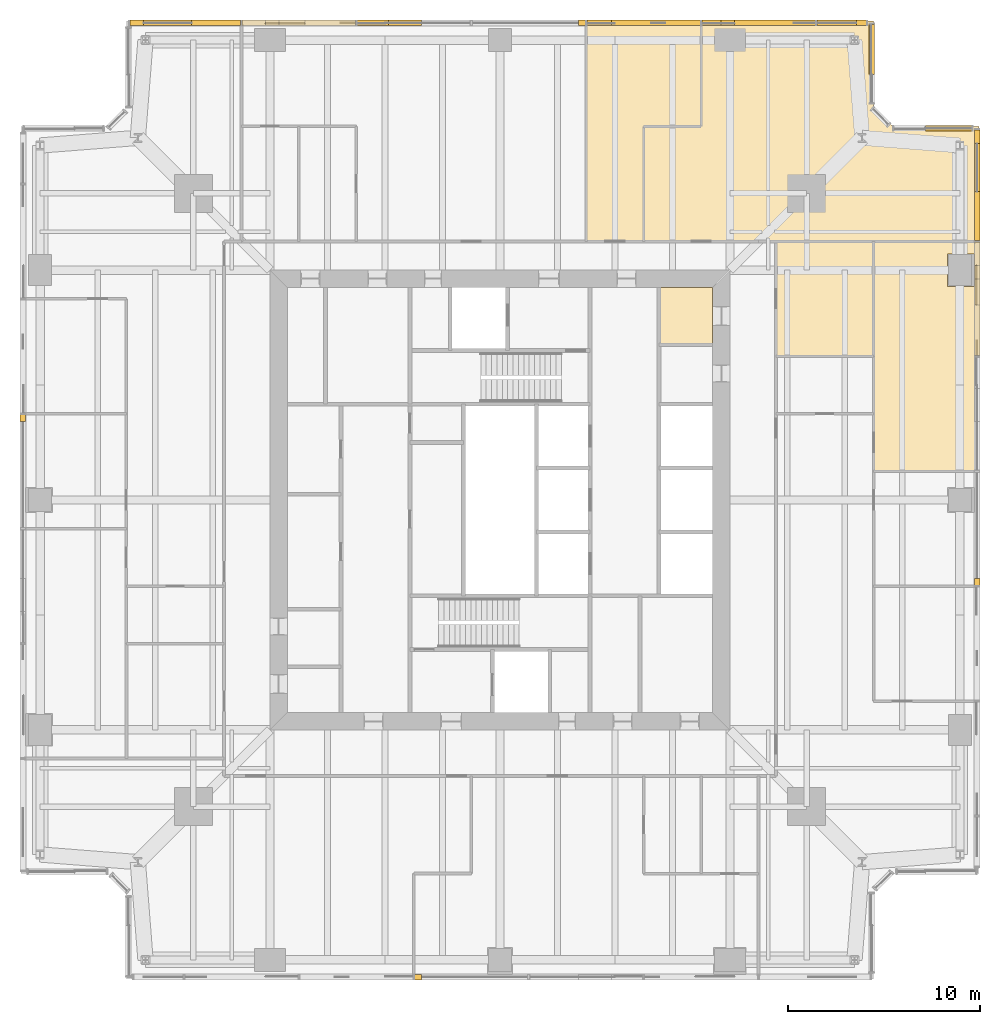
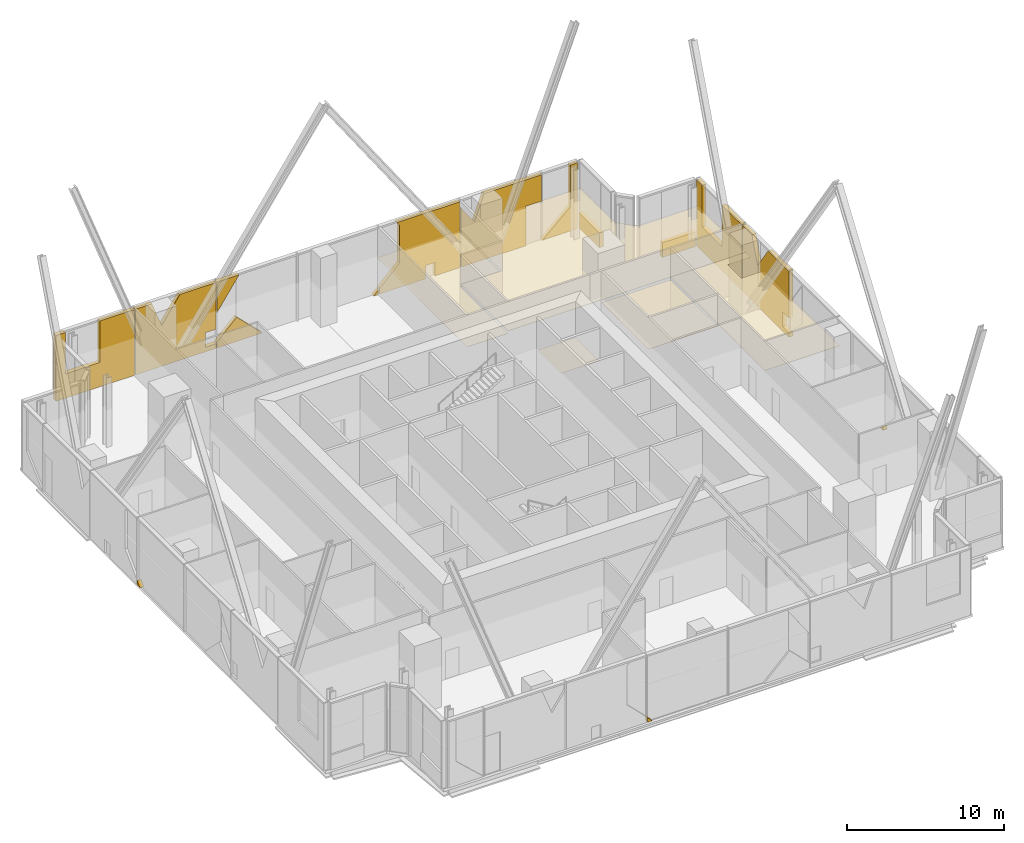
# One storey, part 14 of 14: 20 coverings.
"""IFC4 building model written with IfcOpenShell, lengths in metres."""

from ifc_helpers import new_model, si_unit, direction, frame, origin, place, context, subcontext, project, spatial, polyline, outline, extrude, material, layer, layer_set, type_object, element, save


model = new_model("IFC4")

# Units and contexts
model_context = context("Model", 3, precision=1e-05, world=origin(), true_north=direction((0.0, 1.0)))
body_context = subcontext(model_context, "Body", "Model", "MODEL_VIEW")
ifc_project = project(units=[si_unit("LENGTHUNIT", "METRE"), si_unit("AREAUNIT", "SQUARE_METRE"), si_unit("VOLUMEUNIT", "CUBIC_METRE"), si_unit("PLANEANGLEUNIT", "RADIAN"), si_unit("MASSUNIT", "GRAM", prefix="KILO")], contexts=[model_context])

# Site, building, storey
site_placement = place(None, origin())
site = spatial("IfcSite", under=ifc_project, at=site_placement, CompositionType="ELEMENT")
building_placement = place(site_placement, origin())
building = spatial("IfcBuilding", under=site, at=building_placement, Name="Fenwick Lantern Interchange", CompositionType="ELEMENT")
storey_placement = place(building_placement, frame((0.0, 0.0, 168.39990234375)))
storey = spatial("IfcBuildingStorey", under=building, at=storey_placement, Name="L39", CompositionType="ELEMENT", Elevation=168.39990234375)

# Coverings
ifc_material_1 = material(Name="Mineral fibre acoustic tile on suspended grid")
ifc_layer_1 = layer(ifc_material_1, 0.02001953125)
ifc_layer_set_1 = layer_set([ifc_layer_1], Name="ACOUSTIC TILE CEILING 20")
covering_type_1 = type_object("IfcCoveringType", Name="ACOUSTIC TILE CEILING 20", PredefinedType="CEILING", material=ifc_layer_set_1)
covering_1_placement = place(storey_placement, frame((0.0, 0.0, 2.900146484375)))
element("IfcCovering", 1, at=covering_1_placement, inside=storey, type_object=covering_type_1, Name="Meeting room ceiling", PredefinedType="CEILING", context=body_context, shape_type="SweptSolid", body=[
    extrude(outline(polyline([(44.5, 26.5), (50.0, 26.5), (50.0, 36.14990234375), (48.35009765625, 36.14990234375), (48.35009765625, 37.85009765625), (50.0, 37.85009765625), (50.0, 38.5), (44.5, 38.5), (44.5, 26.5)])), origin(), (0.0, 0.0, 1.0), 0.02001953125),
])
covering_2_placement = place(storey_placement, frame((0.0, 0.0, 2.7001953125)))
element("IfcCovering", 2, at=covering_2_placement, inside=storey, type_object=covering_type_1, Name="Mail room ceiling", PredefinedType="CEILING", context=body_context, shape_type="SweptSolid", body=[
    extrude(outline(polyline([(44.5, 32.5), (44.5, 38.5), (39.39990234375, 38.5), (39.39990234375, 32.5), (44.5, 32.5)])), origin(), (0.0, 0.0, 1.0), 0.02001953125),
])
covering_3_placement = place(storey_placement, frame((0.0, 0.0, 2.900146484375)))
element("IfcCovering", 3, at=covering_3_placement, inside=storey, type_object=covering_type_1, Name="Building management office ceiling", PredefinedType="CEILING", context=body_context, shape_type="SweptSolid", body=[
    extrude(outline(polyline([(44.5, 45.5), (44.5, 50.0), (35.5, 50.0), (35.5, 44.5), (32.5, 44.5), (32.5, 38.5), (50.0, 38.5), (50.0, 44.5), (45.5, 44.5), (44.5, 45.5)])), origin(), (0.0, 0.0, 1.0), 0.02001953125),
])
covering_4_placement = place(storey_placement, frame((0.0, 0.0, 2.7001953125)))
element("IfcCovering", 4, at=covering_4_placement, inside=storey, type_object=covering_type_1, Name="Security office ceiling", PredefinedType="CEILING", context=body_context, shape_type="SweptSolid", body=[
    extrude(outline(polyline([(29.5, 50.0), (29.5, 38.5), (32.5, 38.5), (32.5, 44.5), (35.5, 44.5), (35.5, 50.0), (29.5, 50.0)])), origin(), (0.0, 0.0, 1.0), 0.02001953125),
])
ifc_material_2 = material(Name="Granite cladding, warm grey flamed finish, on aluminium carrier frame", Category="masonry")
ifc_layer_2 = layer(ifc_material_2, 0.300048828125)
ifc_layer_set_2 = layer_set([ifc_layer_2], Name="BRACE CASING PANEL 300")
covering_type_2 = type_object("IfcCoveringType", Name="BRACE CASING PANEL 300", PredefinedType="CLADDING", material=ifc_layer_set_2)
for number, where, z_axis, x_axis, name in (
    (5, (5.60009765625, 0.10009765625, 0.0), (0.0, 0.0, 1.0), (1.0, 0.0, 0.0), "Brace casing 01 bay 03a"),
    (6, (49.89990234375, 5.60009765625, 0.0), (0.0, 0.0, 1.0), (0.0, 1.0, 0.0), "Brace casing 05 bay 03a"),
):
    element("IfcCovering", number, at=place(storey_placement, frame(where, z_axis=z_axis, x_axis=x_axis)), inside=storey, type_object=covering_type_2, Name=name, PredefinedType="CLADDING", context=body_context, shape_type="SweptSolid", body=[
        extrude(outline(polyline([(14.93994140625, 0.0), (15.295654296875, 0.0), (14.93994140625, 0.355712890625), (14.93994140625, 0.0)])), frame((0.0, 0.14990234375, 0.0), z_axis=(0.0, -1.0, 0.0), x_axis=(1.0, 0.0, 0.0)), (0.0, 0.0, 1.0), 0.300048828125),
    ])
covering_5_placement = place(storey_placement, frame((49.89990234375, 5.60009765625, 0.0), z_axis=(0.0, 0.0, 1.0), x_axis=(0.0, 1.0, 0.0)))
element("IfcCovering", 7, at=covering_5_placement, inside=storey, type_object=covering_type_2, Name="Brace casing 05 bay 05a", PredefinedType="CLADDING", context=body_context, shape_type="SweptSolid", body=[
    extrude(outline(polyline([(26.93994140625, 0.0), (32.860107421875, 0.0), (32.860107421875, 5.130126953125), (31.645263671875, 5.130126953125), (30.92138671875, 3.182373046875), (29.585205078125, 5.130126953125), (26.93994140625, 5.130126953125), (26.93994140625, 1.492431640625), (27.715087890625, 1.492431640625), (27.715087890625, 0.355712890625), (26.93994140625, 0.355712890625), (26.93994140625, 0.0)])), frame((0.0, 0.14990234375, 0.0), z_axis=(0.0, -1.0, 0.0), x_axis=(1.0, 0.0, 0.0)), (0.0, 0.0, 1.0), 0.300048828125),
])
covering_6_placement = place(storey_placement, frame((49.89990234375, 5.60009765625, 0.0), z_axis=(0.0, 0.0, 1.0), x_axis=(0.0, 1.0, 0.0)))
element("IfcCovering", 8, at=covering_6_placement, inside=storey, type_object=covering_type_2, Name="Brace casing 05 bay 06a", PredefinedType="CLADDING", context=body_context, shape_type="SweptSolid", body=[
    extrude(outline(polyline([(32.93994140625, 0.0), (38.719970703125, 0.0), (38.719970703125, 5.130126953125), (38.001708984375, 5.130126953125), (38.001708984375, 1.8935546875), (35.4892578125, 1.8935546875), (35.4892578125, 5.130126953125), (32.93994140625, 5.130126953125), (32.93994140625, 0.0)])), frame((0.0, 0.14990234375, 0.0), z_axis=(0.0, -1.0, 0.0), x_axis=(1.0, 0.0, 0.0)), (0.0, 0.0, 1.0), 0.300048828125),
])
covering_7_placement = place(storey_placement, frame((49.89990234375, 44.39990234375, 0.0), z_axis=(0.0, 0.0, 1.0), x_axis=(-1.0, 0.0, 0.0)))
element("IfcCovering", 9, at=covering_7_placement, inside=storey, type_object=covering_type_2, Name="Brace casing 06 bay 00a", PredefinedType="CLADDING", context=body_context, shape_type="SweptSolid", body=[
    extrude(outline(polyline([(0.280029296875, 0.0), (2.699951171875, 0.0), (2.699951171875, 1.150146484375), (0.280029296875, 1.150146484375), (0.280029296875, 0.0)])), frame((0.0, 0.14990234375, 0.0), z_axis=(0.0, -1.0, 0.0), x_axis=(1.0, 0.0, 0.0)), (0.0, 0.0, 1.0), 0.300048828125),
])
covering_8_placement = place(storey_placement, frame((44.39990234375, 45.45849609375, 0.0), z_axis=(0.0, 0.0, 1.0), x_axis=(0.0, 1.0, 0.0)))
element("IfcCovering", 10, at=covering_8_placement, inside=storey, type_object=covering_type_2, Name="Brace casing 08 bay 00a", PredefinedType="CLADDING", context=body_context, shape_type="SweptSolid", body=[
    extrude(outline(polyline([(1.741455078125, 0.0), (4.361328125, 0.0), (4.361328125, 1.150146484375), (1.741455078125, 1.150146484375), (1.741455078125, 0.0)])), frame((0.0, 0.14990234375, 0.0), z_axis=(0.0, -1.0, 0.0), x_axis=(1.0, 0.0, 0.0)), (0.0, 0.0, 1.0), 0.300048828125),
])
covering_9_placement = place(storey_placement, frame((44.39990234375, 49.89990234375, 0.0), z_axis=(0.0, 0.0, 1.0), x_axis=(-1.0, 0.0, 0.0)))
element("IfcCovering", 11, at=covering_9_placement, inside=storey, type_object=covering_type_2, Name="Brace casing 09 bay 00a", PredefinedType="CLADDING", context=body_context, shape_type="SweptSolid", body=[
    extrude(outline(polyline([(0.280029296875, 0.0), (2.849609375, 0.0), (0.79833984375, 1.8935546875), (0.79833984375, 5.130126953125), (0.280029296875, 5.130126953125), (0.280029296875, 0.0)])), frame((0.0, 0.14990234375, 0.0), z_axis=(0.0, -1.0, 0.0), x_axis=(1.0, 0.0, 0.0)), (0.0, 0.0, 1.0), 0.300048828125),
])
covering_10_placement = place(storey_placement, frame((44.39990234375, 49.89990234375, 0.0), z_axis=(0.0, 0.0, 1.0), x_axis=(-1.0, 0.0, 0.0)))
element("IfcCovering", 12, at=covering_10_placement, inside=storey, type_object=covering_type_2, Name="Brace casing 09 bay 01a", PredefinedType="CLADDING", context=body_context, shape_type="SweptSolid", body=[
    extrude(outline(polyline([(4.080078125, 0.0), (8.860107421875, 0.0), (8.860107421875, 4.61279296875), (7.878662109375, 3.182373046875), (7.15478515625, 5.130126953125), (2.93994140625, 5.130126953125), (2.93994140625, 3.069580078125), (4.080078125, 3.069580078125), (4.080078125, 0.0)])), frame((0.0, 0.14990234375, 0.0), z_axis=(0.0, -1.0, 0.0), x_axis=(1.0, 0.0, 0.0)), (0.0, 0.0, 1.0), 0.300048828125),
])
covering_11_placement = place(storey_placement, frame((44.39990234375, 49.89990234375, 0.0), z_axis=(0.0, 0.0, 1.0), x_axis=(-1.0, 0.0, 0.0)))
element("IfcCovering", 13, at=covering_11_placement, inside=storey, type_object=covering_type_2, Name="Brace casing 09 bay 02a", PredefinedType="CLADDING", context=body_context, shape_type="SweptSolid", body=[
    extrude(outline(polyline([(8.93994140625, 0.0), (10.781005859375, 0.0), (10.781005859375, 1.049560546875), (11.5009765625, 1.049560546875), (11.5009765625, 0.0), (14.860107421875, 0.0), (14.860107421875, 0.435546875), (13.39990234375, 1.895751953125), (13.39990234375, 4.866943359375), (13.58056640625, 5.130126953125), (8.93994140625, 5.130126953125), (8.93994140625, 0.0)])), frame((0.0, 0.14990234375, 0.0), z_axis=(0.0, -1.0, 0.0), x_axis=(1.0, 0.0, 0.0)), (0.0, 0.0, 1.0), 0.300048828125),
])
covering_12_placement = place(storey_placement, frame((44.39990234375, 49.89990234375, 0.0), z_axis=(0.0, 0.0, 1.0), x_axis=(-1.0, 0.0, 0.0)))
element("IfcCovering", 14, at=covering_12_placement, inside=storey, type_object=covering_type_2, Name="Brace casing 09 bay 03a", PredefinedType="CLADDING", context=body_context, shape_type="SweptSolid", body=[
    extrude(outline(polyline([(14.93994140625, 0.0), (15.295654296875, 0.0), (14.93994140625, 0.355712890625), (14.93994140625, 0.0)])), frame((0.0, 0.14990234375, 0.0), z_axis=(0.0, -1.0, 0.0), x_axis=(1.0, 0.0, 0.0)), (0.0, 0.0, 1.0), 0.300048828125),
])
covering_13_placement = place(storey_placement, frame((44.39990234375, 49.89990234375, 0.0), z_axis=(0.0, 0.0, 1.0), x_axis=(-1.0, 0.0, 0.0)))
element("IfcCovering", 15, at=covering_13_placement, inside=storey, type_object=covering_type_2, Name="Brace casing 09 bay 04a", PredefinedType="CLADDING", context=body_context, shape_type="SweptSolid", body=[
    extrude(outline(polyline([(23.50439453125, 0.0), (26.860107421875, 0.0), (26.860107421875, 0.435546875), (25.39990234375, 1.895751953125), (23.50439453125, 0.0)])), frame((0.0, 0.14990234375, 0.0), z_axis=(0.0, -1.0, 0.0), x_axis=(1.0, 0.0, 0.0)), (0.0, 0.0, 1.0), 0.300048828125),
])
covering_14_placement = place(storey_placement, frame((44.39990234375, 49.89990234375, 2.73876953125), z_axis=(0.0, 0.0, 1.0), x_axis=(-1.0, 0.0, 0.0)))
element("IfcCovering", 16, at=covering_14_placement, inside=storey, type_object=covering_type_2, Name="Brace casing 09 bay 04b", PredefinedType="CLADDING", context=body_context, shape_type="SweptSolid", body=[
    extrude(outline(polyline([(26.860107421875, 0.0), (26.860107421875, 2.391357421875), (25.219482421875, 2.391357421875), (26.860107421875, 0.0)])), frame((0.0, 0.14990234375, 0.0), z_axis=(0.0, -1.0, 0.0), x_axis=(1.0, 0.0, 0.0)), (0.0, 0.0, 1.0), 0.300048828125),
])
covering_15_placement = place(storey_placement, frame((44.39990234375, 49.89990234375, 0.0), z_axis=(0.0, 0.0, 1.0), x_axis=(-1.0, 0.0, 0.0)))
element("IfcCovering", 17, at=covering_15_placement, inside=storey, type_object=covering_type_2, Name="Brace casing 09 bay 05a", PredefinedType="CLADDING", context=body_context, shape_type="SweptSolid", body=[
    extrude(outline(polyline([(26.93994140625, 0.0), (32.860107421875, 0.0), (32.860107421875, 5.130126953125), (31.645263671875, 5.130126953125), (30.92138671875, 3.182373046875), (29.585205078125, 5.130126953125), (26.93994140625, 5.130126953125), (26.93994140625, 1.492431640625), (27.715087890625, 1.492431640625), (27.715087890625, 0.355712890625), (26.93994140625, 0.355712890625), (26.93994140625, 0.0)])), frame((0.0, 0.14990234375, 0.0), z_axis=(0.0, -1.0, 0.0), x_axis=(1.0, 0.0, 0.0)), (0.0, 0.0, 1.0), 0.300048828125),
])
covering_16_placement = place(storey_placement, frame((44.39990234375, 49.89990234375, 0.0), z_axis=(0.0, 0.0, 1.0), x_axis=(-1.0, 0.0, 0.0)))
element("IfcCovering", 18, at=covering_16_placement, inside=storey, type_object=covering_type_2, Name="Brace casing 09 bay 06a", PredefinedType="CLADDING", context=body_context, shape_type="SweptSolid", body=[
    extrude(outline(polyline([(32.93994140625, 0.0), (38.719970703125, 0.0), (38.719970703125, 5.130126953125), (38.001708984375, 5.130126953125), (38.001708984375, 1.8935546875), (35.4892578125, 1.8935546875), (35.4892578125, 5.130126953125), (32.93994140625, 5.130126953125), (32.93994140625, 0.0)])), frame((0.0, 0.14990234375, 0.0), z_axis=(0.0, -1.0, 0.0), x_axis=(1.0, 0.0, 0.0)), (0.0, 0.0, 1.0), 0.300048828125),
])
covering_17_placement = place(storey_placement, frame((0.10009765625, 44.39990234375, 0.0), z_axis=(0.0, 0.0, 1.0), x_axis=(0.0, -1.0, 0.0)))
element("IfcCovering", 19, at=covering_17_placement, inside=storey, type_object=covering_type_2, Name="Brace casing 13 bay 03a", PredefinedType="CLADDING", context=body_context, shape_type="SweptSolid", body=[
    extrude(outline(polyline([(14.93994140625, 0.0), (15.295654296875, 0.0), (14.93994140625, 0.355712890625), (14.93994140625, 0.0)])), frame((0.0, 0.14990234375, 0.0), z_axis=(0.0, -1.0, 0.0), x_axis=(1.0, 0.0, 0.0)), (0.0, 0.0, 1.0), 0.300048828125),
])
ifc_material_3 = material(Name="Moisture resistant gypsum board on suspended frame, painted")
ifc_layer_3 = layer(ifc_material_3, 0.014892578125)
ifc_layer_set_3 = layer_set([ifc_layer_3], Name="MOISTURE RESISTANT CEILING 15")
covering_type_3 = type_object("IfcCoveringType", Name="MOISTURE RESISTANT CEILING 15", PredefinedType="CEILING", material=ifc_layer_set_3)
covering_18_placement = place(storey_placement, frame((0.0, 0.0, 2.60009765625)))
element("IfcCovering", 20, at=covering_18_placement, inside=storey, type_object=covering_type_3, Name="Accessible WC ceiling", PredefinedType="CEILING", context=body_context, shape_type="SweptSolid", body=[
    extrude(outline(polyline([(36.10009765625, 36.10009765625), (33.300048828125, 36.10009765625), (33.300048828125, 33.10009765625), (36.10009765625, 33.10009765625), (36.10009765625, 36.10009765625)])), origin(), (0.0, 0.0, 1.0), 0.014892578125),
])

save(model, "model.ifc")
